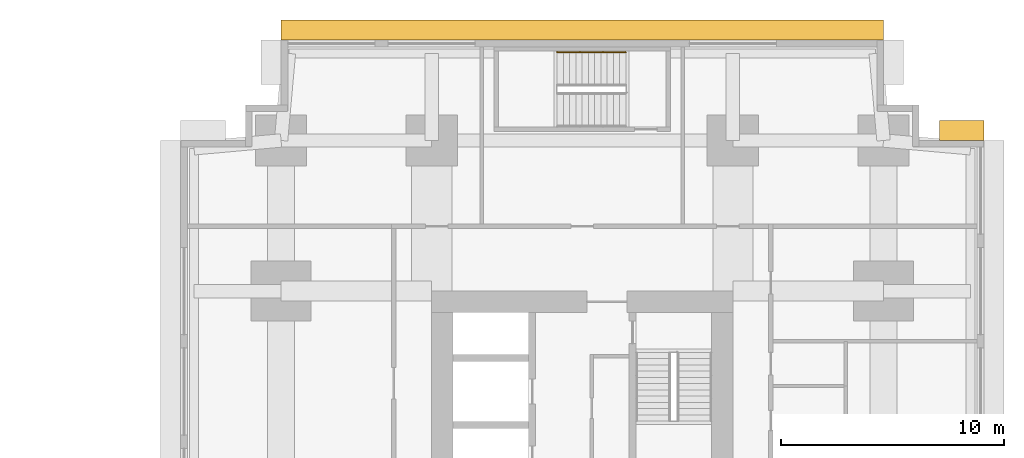
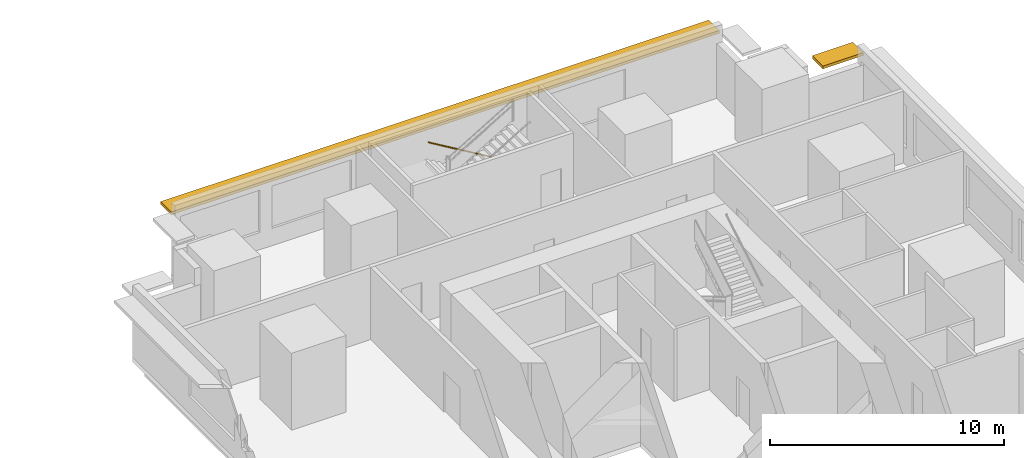
# One storey, part 11 of 11: 2 shading devices, 1 railing.
"""IFC4 building model written with IfcOpenShell, lengths in metres."""

from ifc_helpers import new_model, si_unit, direction, frame, origin, origin_2d, place, context, subcontext, project, spatial, rectangle, circle, extrude, material, layer, layer_set, type_object, element, save


model = new_model("IFC4")

# Units and contexts
model_context = context("Model", 3, precision=1e-05, world=origin(), true_north=direction((0.0, 1.0)))
body_context = subcontext(model_context, "Body", "Model", "MODEL_VIEW")
ifc_project = project(units=[si_unit("LENGTHUNIT", "METRE"), si_unit("AREAUNIT", "SQUARE_METRE"), si_unit("VOLUMEUNIT", "CUBIC_METRE"), si_unit("PLANEANGLEUNIT", "RADIAN"), si_unit("MASSUNIT", "GRAM", prefix="KILO")], contexts=[model_context])

# Site, building, storey
site_placement = place(None, origin())
site = spatial("IfcSite", under=ifc_project, at=site_placement, CompositionType="ELEMENT")
building_placement = place(site_placement, origin())
building = spatial("IfcBuilding", under=site, at=building_placement, Name="Namib Vertical Campus", CompositionType="ELEMENT")
storey_placement = place(building_placement, frame((0.0, 0.0, 37.0)))
storey = spatial("IfcBuildingStorey", under=building, at=storey_placement, Name="L08", CompositionType="ELEMENT", Elevation=37.0)

# Railing
ifc_material_1 = material(Name="Steel handrail", Category="steel")
railing_type = type_object("IfcRailingType", Name="Handrail 900", PredefinedType="HANDRAIL", material=ifc_material_1)
railing_placement = place(storey_placement, frame((82.949951171875, 39.949951171875, 0.166748046875)))
element("IfcRailing", 1, at=railing_placement, inside=storey, type_object=railing_type, Name="Handrail HR1 B-S3 L08 1", PredefinedType="HANDRAIL", context=body_context, shape_type="SweptSolid", body=[
    extrude(circle(Radius=0.02392578125, at=origin_2d()), frame((0.0, 0.0, 0.8759765625), z_axis=(-0.859290745958, 0.0, 0.51148745235), x_axis=(0.0, -1.0, 0.0)), (0.0, 0.0, 1.0), 3.584228515625),
    extrude(circle(Radius=0.008056640625, at=origin_2d()), frame((0.0, 0.0, 0.8759765625), z_axis=(0.0, 1.0, 0.0), x_axis=(0.0, 0.0, 1.0)), (0.0, 0.0, 1.0), 0.050048828125),
    extrude(circle(Radius=0.008056640625, at=origin_2d()), frame((-1.026611328125, 0.0, 1.48681640625), z_axis=(0.0, 1.0, 0.0), x_axis=(0.0, 0.0, 1.0)), (0.0, 0.0, 1.0), 0.050048828125),
    extrude(circle(Radius=0.008056640625, at=origin_2d()), frame((-2.05322265625, 0.0, 2.09814453125), z_axis=(0.0, 1.0, 0.0), x_axis=(0.0, 0.0, 1.0)), (0.0, 0.0, 1.0), 0.050048828125),
    extrude(circle(Radius=0.008056640625, at=origin_2d()), frame((-3.079833984375, 0.0, 2.708984375), z_axis=(0.0, 1.0, 0.0), x_axis=(0.0, 0.0, 1.0)), (0.0, 0.0, 1.0), 0.050048828125),
])

# Shading devices
ifc_material_2 = material(Name="Concrete C40/50 precast", Category="concrete")
ifc_layer = layer(ifc_material_2, 0.14990234375)
ifc_layer_set = layer_set([ifc_layer], Name="Concrete C40/50 precast")
shading_device_type = type_object("IfcShadingDeviceType", Name="Sunshade hood 900", PredefinedType="SHUTTER", material=ifc_layer_set)
shading_device_1_placement = place(storey_placement, frame((98.0, 36.449951171875, 3.10009765625), z_axis=(0.0, 0.0, 1.0), x_axis=(-1.0, 0.0, 0.0)))
element("IfcShadingDevice", 2, at=shading_device_1_placement, inside=storey, type_object=shading_device_type, Name="Sunshade SH1 L08 7", PredefinedType="SHUTTER", context=body_context, shape_type="SweptSolid", body=[
    extrude(rectangle(XDim=2.0, YDim=0.89990234375, at=origin_2d()), origin(), (0.0, 0.0, 1.0), 0.14990234375),
])
shading_device_2_placement = place(storey_placement, frame((81.0, 40.949951171875, 3.10009765625), z_axis=(0.0, 0.0, 1.0), x_axis=(-1.0, 0.0, 0.0)))
element("IfcShadingDevice", 3, at=shading_device_2_placement, inside=storey, type_object=shading_device_type, Name="Sunshade SH1 L08 11", PredefinedType="SHUTTER", context=body_context, shape_type="SweptSolid", body=[
    extrude(rectangle(XDim=27.0, YDim=0.89990234375, at=origin_2d()), origin(), (0.0, 0.0, 1.0), 0.14990234375),
])

save(model, "model.ifc")
